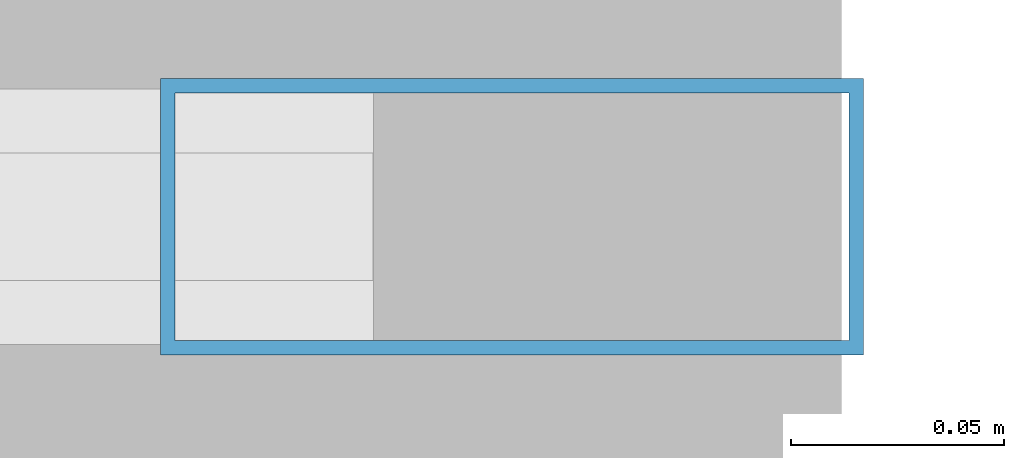
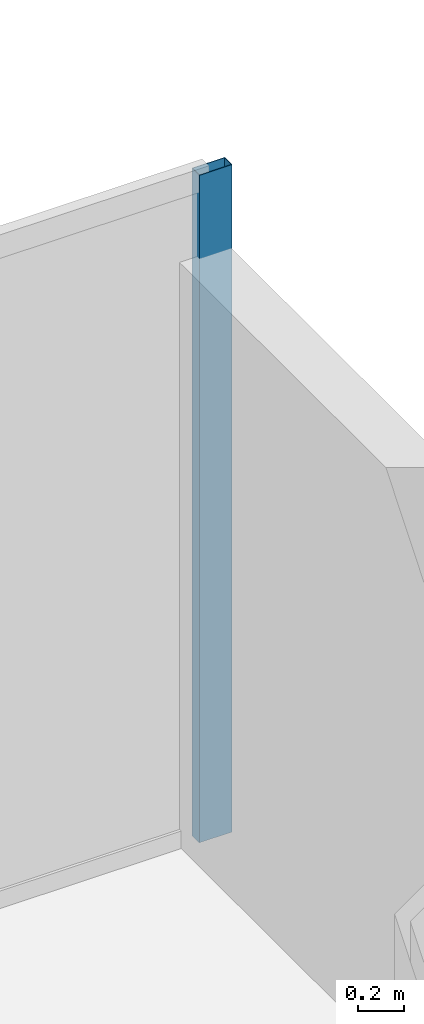
# One storey, part 26 of 34: 1 member, 1 element without a shape of its own.
"""IFC4 building model written with IfcOpenShell, lengths in metres."""

from ifc_helpers import new_model, si_unit, direction, frame, origin, origin_2d, place, context, subcontext, project, spatial, hollow_rectangle, extrude, source, transform, mapped, material, layer, layer_set, material_profile, profile_set, type_object, type_shapes, element, aggregate, save


model = new_model("IFC4")

# Units and contexts
model_context = context("Model", 3, precision=1e-05, world=origin(), true_north=direction((0.0, 1.0)))
body_context = subcontext(model_context, "Body", "Model", "MODEL_VIEW")
ifc_project = project(units=[si_unit("LENGTHUNIT", "METRE"), si_unit("AREAUNIT", "SQUARE_METRE"), si_unit("VOLUMEUNIT", "CUBIC_METRE"), si_unit("PLANEANGLEUNIT", "RADIAN"), si_unit("MASSUNIT", "GRAM", prefix="KILO")], contexts=[model_context])

# Site, building, storey
site_placement = place(None, origin())
site = spatial("IfcSite", under=ifc_project, at=site_placement, CompositionType="ELEMENT")
building_placement = place(site_placement, origin())
building = spatial("IfcBuilding", under=site, at=building_placement, Name="Varnel Quay Broadcast Tower", CompositionType="ELEMENT")
storey_placement = place(building_placement, frame((0.0, 0.0, 176.199951171875)))
storey = spatial("IfcBuildingStorey", under=building, at=storey_placement, Name="L43", CompositionType="ELEMENT", Elevation=176.199951171875)

# Curtain wall, member
ifc_material = material(Name="Anodised Bronze Aluminium 6063-T6", Category="aluminium")
ifc_layer = layer(ifc_material, 0.18994140625, Name="Anodised Bronze Aluminium 6063-T6")
ifc_layer_set = layer_set([ifc_layer], Name="Anodised Bronze Aluminium 6063-T6")
curtain_wall_type = type_object("IfcCurtainWallType", Name="CW_UpperTower", PredefinedType="NOTDEFINED", material=ifc_layer_set)
curtain_wall_placement = place(storey_placement, origin())
curtain_wall = element("IfcCurtainWall", 1, at=curtain_wall_placement, inside=storey, type_object=curtain_wall_type, Name="L43 NE Wing Curtain Wall", PredefinedType="NOTDEFINED")
ifc_material_profile = material_profile(ifc_material, hollow_rectangle(XDim=0.06494140625, YDim=0.1650390625, WallThickness=0.00341796875, at=origin_2d()), Name="ALU65X165X3.5")
ifc_profile_set = profile_set([ifc_material_profile], Name="Anodised Bronze Aluminium 6063-T6")
member_type = type_object("IfcMemberType", Name="Mull_CWS-03", PredefinedType="MULLION", material=ifc_profile_set)
shared_shape = source(origin(), body_context, "Body", "SweptSolid", [
    extrude(hollow_rectangle(XDim=0.06494140625, YDim=0.1650390625, WallThickness=0.00341796875, at=origin_2d()), origin(), (0.0, 0.0, 1.0), 3.550048828125),
])
type_shapes(member_type, [shared_shape])
member_placement = place(storey_placement, frame((57.447509765625, 46.64990234375, 0.0), z_axis=(0.0, 0.0, 1.0), x_axis=(0.0, 1.0, 0.0)))
member = element("IfcMember", 2, at=member_placement, type_object=member_type, Name="CWS-03 mullion 2", PredefinedType="MULLION", context=body_context, shape_type="MappedRepresentation", body=[
    mapped(shared_shape, transform((0.0, 0.0, 0.0), x_axis=(1.0, 0.0, 0.0), y_axis=(0.0, 1.0, 0.0), z_axis=(0.0, 0.0, 1.0), scale=1.0)),
])
aggregate(curtain_wall, [member])

save(model, "model.ifc")
